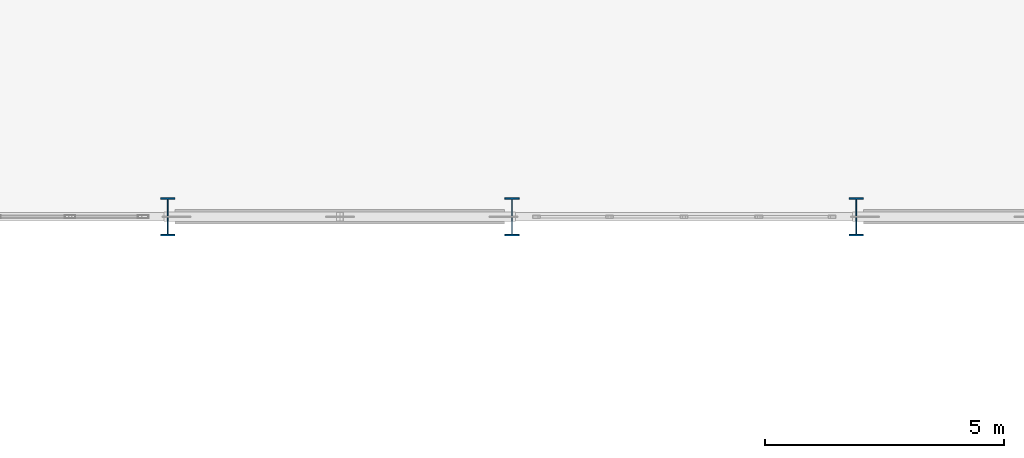
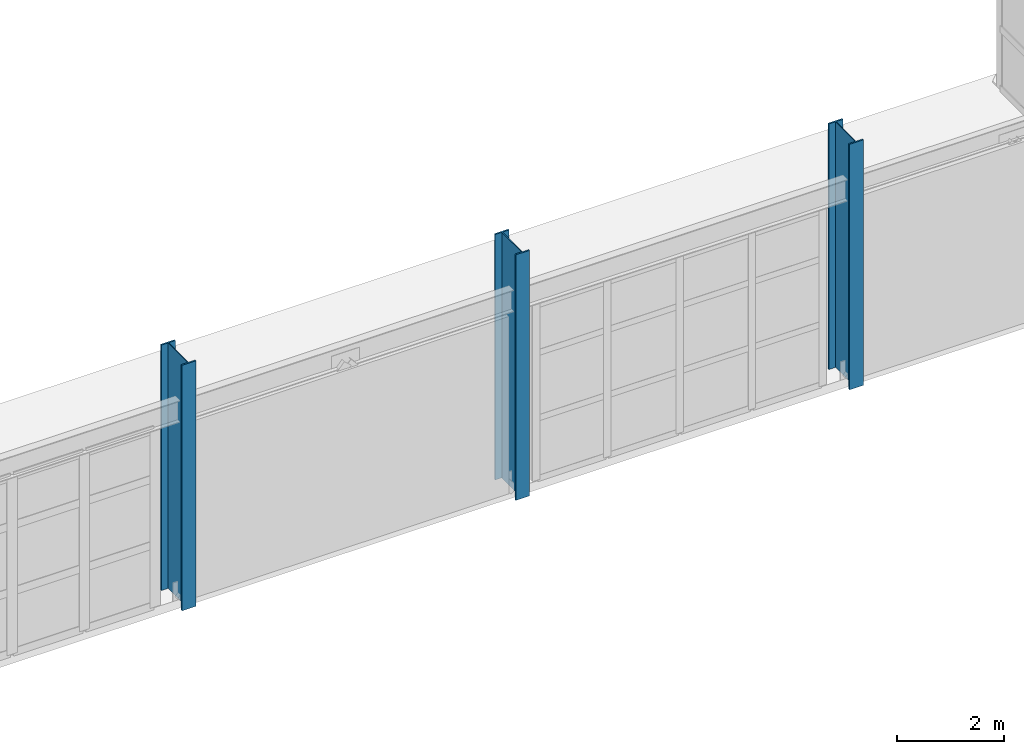
# One storey, part 7 of 126: 3 columns.
"""IFC4 building model written with IfcOpenShell, lengths in metres."""

from ifc_helpers import new_model, si_unit, direction, frame, origin, origin_2d, place, context, subcontext, project, spatial, i_section, extrude, material, material_profile, profile_set, type_object, element, save


model = new_model("IFC4")

# Units and contexts
model_context = context("Model", 3, precision=1e-05, world=origin(), true_north=direction((0.0, 1.0)))
body_context = subcontext(model_context, "Body", "Model", "MODEL_VIEW")
ifc_project = project(units=[si_unit("LENGTHUNIT", "METRE"), si_unit("AREAUNIT", "SQUARE_METRE"), si_unit("VOLUMEUNIT", "CUBIC_METRE"), si_unit("PLANEANGLEUNIT", "RADIAN"), si_unit("MASSUNIT", "GRAM", prefix="KILO")], contexts=[model_context])

# Site, building, storey
site_placement = place(None, origin())
site = spatial("IfcSite", under=ifc_project, at=site_placement, CompositionType="ELEMENT")
building_placement = place(site_placement, origin())
building = spatial("IfcBuilding", under=site, at=building_placement, Name="Solvadek Multi-Sports Hall", CompositionType="ELEMENT")
storey_placement = place(building_placement, frame((0.0, 0.0, 9.60009765625)))
storey = spatial("IfcBuildingStorey", under=building, at=storey_placement, Name="L02", CompositionType="ELEMENT", Elevation=9.60009765625)

# Columns
ifc_material = material(Name="Steel E350 (350 MPa)", Category="steel")
ifc_material_profile = material_profile(ifc_material, i_section(OverallWidth=0.300048828125, OverallDepth=0.800048828125, WebThickness=0.017578125, FlangeThickness=0.032958984375, at=origin_2d()), Name="WPB 800")
ifc_profile_set = profile_set([ifc_material_profile], Name="Steel E350 (350 MPa)")
column_type = type_object("IfcColumnType", Name="STR-COL-WPB800", PredefinedType="COLUMN", material=ifc_profile_set)
for number, where, z_axis, x_axis, name in (
    (1, (108.0, 42.0, 0.0), (0.0, 0.0, 1.0), (1.0, 0.0, 0.0), "L02 Column C-01 #211"),
    (2, (115.199951171875, 42.0, 0.0), (0.0, 0.0, 1.0), (1.0, 0.0, 0.0), "L02 Column C-01 #219"),
    (3, (122.39990234375, 42.0, 0.0), (0.0, 0.0, 1.0), (1.0, 0.0, 0.0), "L02 Column C-01 #227"),
):
    element("IfcColumn", number, at=place(storey_placement, frame(where, z_axis=z_axis, x_axis=x_axis)), inside=storey, type_object=column_type, Name=name, PredefinedType="COLUMN", context=body_context, shape_type="SweptSolid", body=[
        extrude(i_section(OverallWidth=0.300048828125, OverallDepth=0.800048828125, WebThickness=0.017578125, FlangeThickness=0.032958984375, at=origin_2d()), origin(), (0.0, 0.0, 1.0), 5.599853515625),
    ])

save(model, "model.ifc")
